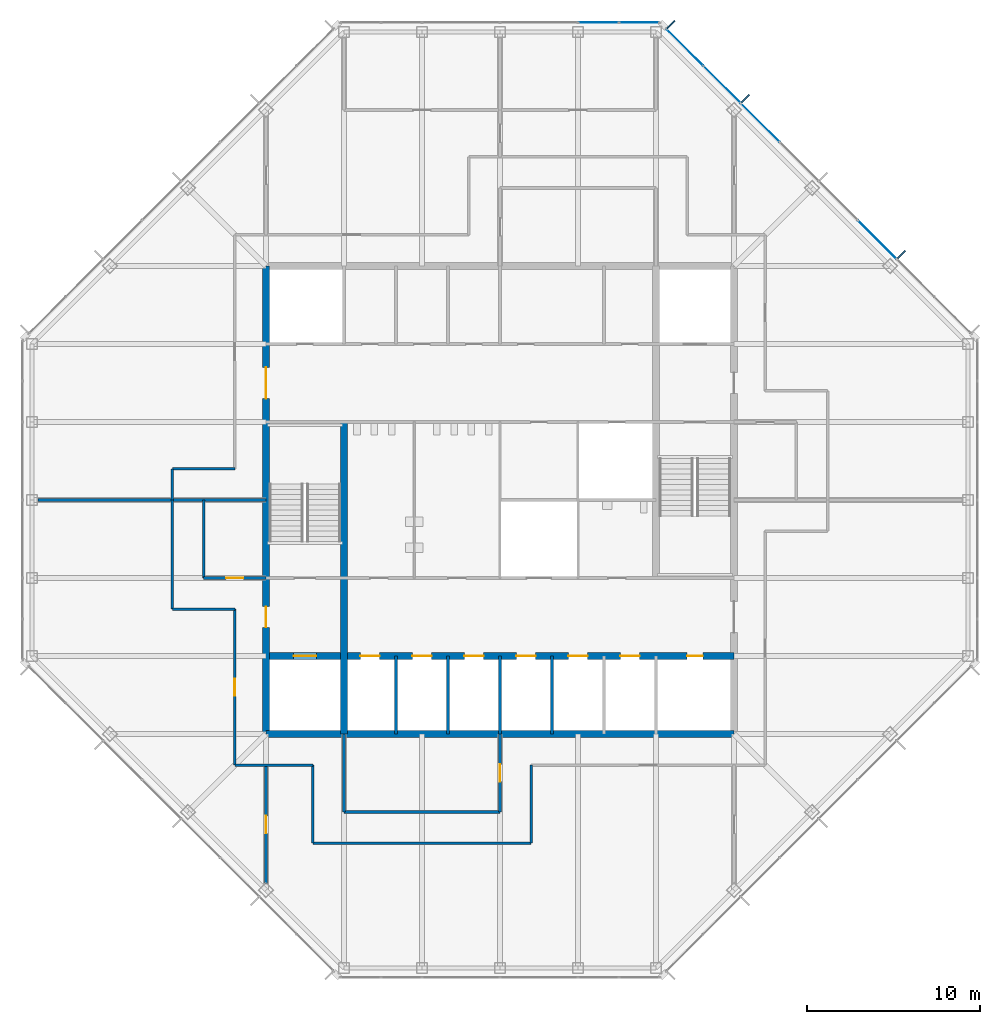
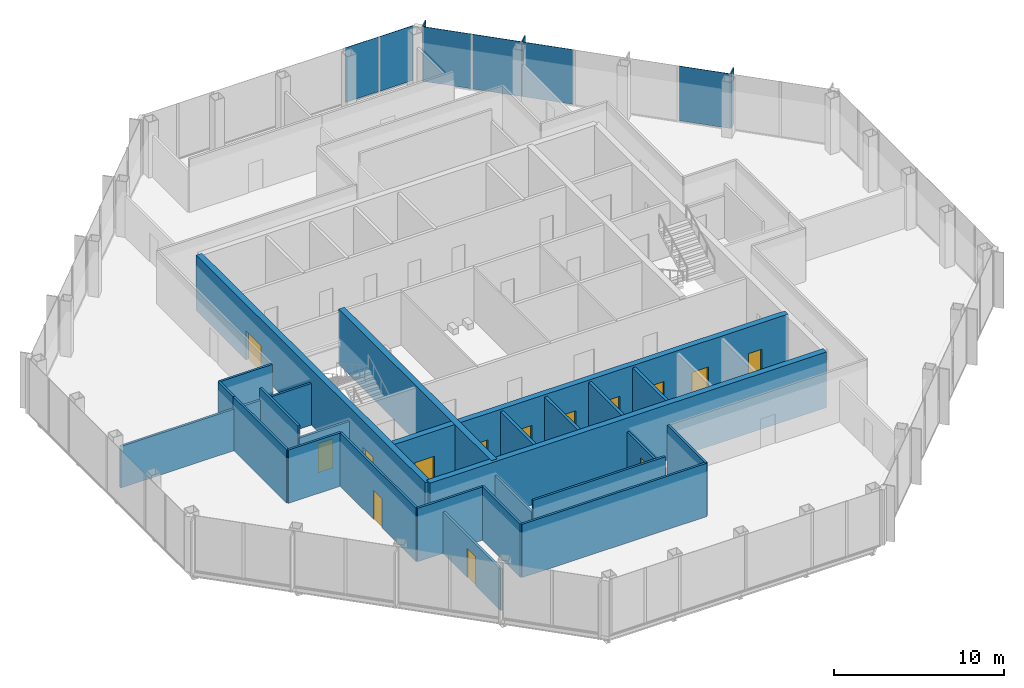
# One storey, part 9 of 13: 24 walls, 14 doors, 9 plates, 14 openings, 2 elements without a shape of their own.
"""IFC4 building model written with IfcOpenShell, lengths in metres."""

import ifcopenshell
import ifcopenshell.guid

model = None  # the IFC model being written
_history = None  # IfcOwnerHistory: only IFC2X3 demands one
_inside = {}  # id of a spatial element -> (the spatial element, [elements in it])
_under = {}  # id of a project, library or spatial element -> (it, [spatial elements below it])
_declared = {}  # id of a project -> (the project, [libraries it declares])
_typed = {}  # id of a type object -> (the type object, [elements of that type])
_made_of = {}  # id of a material, layer set ... -> (it, [elements and type objects made of it])


def new_model(schema):
    """Start an empty IFC model of exactly this schema.

    Asked for "IFC4X3", IfcOpenShell would pick the latest addendum, in which some entities
    have other attributes; the version numbers below select the first issue.
    IFC2X3 requires an IfcOwnerHistory on every rooted entity: one is made here for all.
    """
    global model, _history
    if schema == "IFC4X3":
        model = ifcopenshell.file(schema_version=(4, 3, 0, 0))
    else:
        model = ifcopenshell.file(schema=schema)
    _inside.clear()
    _under.clear()
    _declared.clear()
    _typed.clear()
    _made_of.clear()
    _history = None
    if model.schema == "IFC2X3":
        org = make("IfcOrganization", Name="unknown")
        user = make(
            "IfcPersonAndOrganization",
            ThePerson=make("IfcPerson", FamilyName="unknown"),
            TheOrganization=org,
        )
        app = make(
            "IfcApplication",
            ApplicationDeveloper=org,
            Version="unknown",
            ApplicationFullName="unknown",
            ApplicationIdentifier="unknown",
        )
        _history = make(
            "IfcOwnerHistory",
            OwningUser=user,
            OwningApplication=app,
            ChangeAction="ADDED",
            CreationDate=0,
        )
    return model


def make(cls, **values):
    """One entity of the class cls with the attributes given. An attribute that is None is left unset."""
    return model.create_entity(
        cls, **{name: value for name, value in values.items() if value is not None}
    )


def rooted(cls, **values):
    """An entity with a GlobalId (a new one), such as an element, a storey or a relation."""
    return make(cls, GlobalId=ifcopenshell.guid.new(), OwnerHistory=_history, **values)


def si_unit(unit_type, name, prefix=None):
    """IfcSIUnit, for example si_unit("LENGTHUNIT", "METRE", prefix="MILLI")."""
    return make("IfcSIUnit", UnitType=unit_type, Prefix=prefix, Name=name)


def assignment(units):
    """IfcUnitAssignment: the units of a project."""
    return None if units is None else make("IfcUnitAssignment", Units=units)


def point(xyz):
    """IfcCartesianPoint."""
    return None if xyz is None else make("IfcCartesianPoint", Coordinates=xyz)


def direction(xyz):
    """IfcDirection."""
    return None if xyz is None else make("IfcDirection", DirectionRatios=xyz)


def frame(location, z_axis=None, x_axis=None):
    """IfcAxis2Placement3D, a coordinate frame: its origin and axes. An axis left out is left unset."""
    return make(
        "IfcAxis2Placement3D",
        Location=point(location),
        Axis=direction(z_axis),
        RefDirection=direction(x_axis),
    )


def frame_2d(location, x_axis=None):
    """IfcAxis2Placement2D, a coordinate frame in the plane: its origin and x axis."""
    return make(
        "IfcAxis2Placement2D", Location=point(location), RefDirection=direction(x_axis)
    )


def origin():
    """The frame at (0, 0, 0) with its axes left unset."""
    return frame((0.0, 0.0, 0.0))


def origin_2d():
    """The frame at (0, 0) in the plane with its x axis left unset."""
    return frame_2d((0.0, 0.0))


def place(relative_to, where):
    """IfcLocalPlacement: puts the frame where relative to a parent placement (None: the world)."""
    return make(
        "IfcLocalPlacement", PlacementRelTo=relative_to, RelativePlacement=where
    )


def context(
    kind, dimensions, precision=None, world=None, true_north=None, identifier=None
):
    """IfcGeometricRepresentationContext, for example the 3D "Model" context."""
    return make(
        "IfcGeometricRepresentationContext",
        ContextIdentifier=identifier,
        ContextType=kind,
        CoordinateSpaceDimension=dimensions,
        Precision=precision,
        WorldCoordinateSystem=world,
        TrueNorth=true_north,
    )


def subcontext(parent, identifier, kind, view, scale=None):
    """IfcGeometricRepresentationSubContext, for example "Body" below "Model"."""
    return make(
        "IfcGeometricRepresentationSubContext",
        ContextIdentifier=identifier,
        ContextType=kind,
        ParentContext=parent,
        TargetScale=scale,
        TargetView=view,
    )


def project(units=None, contexts=None):
    """IfcProject with its units and contexts."""
    return rooted(
        "IfcProject",
        Name="project",
        RepresentationContexts=contexts,
        UnitsInContext=assignment(units),
    )


def spatial(cls, under=None, at=None, **own):
    """A site, building, storey or space (cls), placed at a placement, below another one or the project."""
    s = rooted(cls, ObjectPlacement=at, **own)
    if under is not None:
        _under.setdefault(under.id(), (under, []))[1].append(s)
    return s


def profile(cls, at=None, kind="AREA", **sizes):
    """A parametric profile (cls). Its sizes go by their IFC names, for example OverallWidth=200.0."""
    return make(cls, ProfileType=kind, Position=at, **sizes)


def rectangle(**sizes):
    """IfcRectangleProfileDef."""
    return profile("IfcRectangleProfileDef", **sizes)


def extrude(swept, where, along, depth):
    """IfcExtrudedAreaSolid: the profile swept, set in the frame where, extruded along a direction by depth."""
    return make(
        "IfcExtrudedAreaSolid",
        SweptArea=swept,
        Position=where,
        ExtrudedDirection=direction(along),
        Depth=depth,
    )


def shape(context_of_items, identifier, shape_type, items):
    """IfcShapeRepresentation: the items that make up one representation, for example the "Body"."""
    return make(
        "IfcShapeRepresentation",
        ContextOfItems=context_of_items,
        RepresentationIdentifier=identifier,
        RepresentationType=shape_type,
        Items=items,
    )


def material(Name=None, Category=None):
    """IfcMaterial."""
    return make("IfcMaterial", Name=Name, Category=Category)


def layer(
    of_material, thickness, ventilated=None, Name=None, Category=None, Priority=None
):
    """IfcMaterialLayer: one layer of a wall or slab, of a material (None: an air gap)."""
    return make(
        "IfcMaterialLayer",
        Material=of_material,
        LayerThickness=thickness,
        IsVentilated=ventilated,
        Name=Name,
        Category=Category,
        Priority=Priority,
    )


def layer_set(layers, Name=None):
    """IfcMaterialLayerSet."""
    return make("IfcMaterialLayerSet", MaterialLayers=layers, LayerSetName=Name)


def made_of(thing, what):
    """Note that an element or type object is made of a material, layer set ...; save() writes the relation."""
    if what is not None:
        _made_of.setdefault(what.id(), (what, []))[1].append(thing)
    return thing


def type_object(cls, material=None, **own):
    """A type object (cls), such as IfcWallType, which elements share."""
    return made_of(rooted(cls, **own), material)


def element(
    cls,
    number,
    at=None,
    inside=None,
    cuts=None,
    type_object=None,
    material=None,
    context=None,
    identifier="Body",
    shape_type=None,
    held_by="IfcProductDefinitionShape",
    body=None,
    shapes=None,
    **own,
):
    """One element of the class cls, such as IfcWall. Its Tag is "e" and its number.

    at: its placement. inside: the storey or other place that contains it. cuts: it is an
    opening in that element (IfcRelVoidsElement). A single representation is given by context,
    identifier, shape_type and body (its items); several are given by shapes. held_by: the class
    of the entity that holds the representations. save() writes the other relations.
    """
    e = rooted(cls, Tag="e%d" % number, ObjectPlacement=at, **own)
    if body is not None:
        shapes = [shape(context, identifier, shape_type, body)]
    if shapes is not None:
        e.Representation = make(held_by, Representations=shapes)
    if inside is not None:
        _inside.setdefault(inside.id(), (inside, []))[1].append(e)
    if cuts is not None:
        rooted(
            "IfcRelVoidsElement", RelatingBuildingElement=cuts, RelatedOpeningElement=e
        )
    if type_object is not None:
        _typed.setdefault(type_object.id(), (type_object, []))[1].append(e)
    return made_of(e, material)


def fill(opening, filler):
    """IfcRelFillsElement: the door or window that sits in an opening."""
    return rooted(
        "IfcRelFillsElement",
        RelatingOpeningElement=opening,
        RelatedBuildingElement=filler,
    )


def aggregate(whole, parts):
    """IfcRelAggregates: a whole, such as a stair, and the parts it consists of."""
    return rooted("IfcRelAggregates", RelatingObject=whole, RelatedObjects=parts)


def save(model, path):
    """Write the relations noted so far, then the file.

    IfcRelAggregates (storeys below a building ...), IfcRelContainedInSpatialStructure (elements
    in a storey), IfcRelDefinesByType, IfcRelAssociatesMaterial and IfcRelDeclares: one each for
    every whole, place, type object, material and project.
    """
    for whole, parts in _under.values():
        aggregate(whole, parts)
    for where, things in _inside.values():
        rooted(
            "IfcRelContainedInSpatialStructure",
            RelatedElements=things,
            RelatingStructure=where,
        )
    for kind, things in _typed.values():
        rooted("IfcRelDefinesByType", RelatedObjects=things, RelatingType=kind)
    for what, things in _made_of.values():
        rooted("IfcRelAssociatesMaterial", RelatedObjects=things, RelatingMaterial=what)
    for by, libraries in _declared.values():
        rooted("IfcRelDeclares", RelatingContext=by, RelatedDefinitions=libraries)
    model.write(path)


model = new_model("IFC4")

# Units and contexts
model_context = context("Model", 3, precision=1e-05, world=origin(), true_north=direction((0.0, 1.0)))
body_context = subcontext(model_context, "Body", "Model", "MODEL_VIEW")
ifc_project = project(units=[si_unit("LENGTHUNIT", "METRE"), si_unit("AREAUNIT", "SQUARE_METRE"), si_unit("VOLUMEUNIT", "CUBIC_METRE"), si_unit("PLANEANGLEUNIT", "RADIAN"), si_unit("MASSUNIT", "GRAM", prefix="KILO")], contexts=[model_context])

# Site, building, storey
site_placement = place(None, origin())
site = spatial("IfcSite", under=ifc_project, at=site_placement, CompositionType="ELEMENT")
building_placement = place(site_placement, origin())
building = spatial("IfcBuilding", under=site, at=building_placement, Name="Corais Broadcast Tower", CompositionType="ELEMENT")
storey_placement = place(building_placement, frame((0.0, 0.0, 242.60009765625)))
storey = spatial("IfcBuildingStorey", under=building, at=storey_placement, Name="L56", CompositionType="ELEMENT", Elevation=242.60009765625)

# Curtain wall, plate
ifc_material_1 = material(Name="Aluminium and glass", Category="aluminium")
curtain_wall_type = type_object("IfcCurtainWallType", Name="Unitised fritted curtain wall CW3", PredefinedType="NOTDEFINED", material=ifc_material_1)
curtain_wall_1_placement = place(storey_placement, origin())
curtain_wall_1 = element("IfcCurtainWall", 1, at=curtain_wall_1_placement, inside=storey, type_object=curtain_wall_type, Name="CW3 curtain wall L56 4", PredefinedType="NOTDEFINED")
ifc_material_2 = material(Name="Ceramic-fritted laminated glass", Category="glass")
ifc_layer_1 = layer(ifc_material_2, 0.02587890625)
ifc_layer_set_1 = layer_set([ifc_layer_1], Name="Ceramic-fritted laminated glass")
plate_type_1 = type_object("IfcPlateType", Name="Fritted glass panel CW3", PredefinedType="CURTAIN_PANEL", material=ifc_layer_set_1)
plate_1_placement = place(storey_placement, frame((32.681884765625, 54.550048828125, 0.06494140625), z_axis=(0.0, 0.0, 1.0), x_axis=(1.0, 0.0, 0.0)))
plate_1 = element("IfcPlate", 2, at=plate_1_placement, type_object=plate_type_1, Name="CW3 panel 5", PredefinedType="CURTAIN_PANEL", context=body_context, shape_type="SweptSolid", body=[
    extrude(rectangle(XDim=2.298828125, YDim=0.02587890625, at=origin_2d()), origin(), (0.0, 0.0, 1.0), 3.93505859375),
])

# Curtain wall, plates
curtain_wall_2_placement = place(storey_placement, origin())
curtain_wall_2 = element("IfcCurtainWall", 3, at=curtain_wall_2_placement, inside=storey, type_object=curtain_wall_type, Name="CW3 curtain wall L56 5", PredefinedType="NOTDEFINED")
plate_2_placement = place(storey_placement, frame((37.669677734375, 53.108154296875, 0.06494140625), z_axis=(0.0, 0.0, 1.0), x_axis=(0.707106781187, -0.707106781187, 0.0)))
plate_2 = element("IfcPlate", 4, at=plate_2_placement, type_object=plate_type_1, Name="CW3 panel 1", PredefinedType="CURTAIN_PANEL", context=body_context, shape_type="SweptSolid", body=[
    extrude(rectangle(XDim=2.9482421875, YDim=0.02587890625, at=origin_2d()), origin(), (0.0, 0.0, 1.0), 3.93505859375),
])
plate_3_placement = place(storey_placement, frame((42.013916015625, 48.763916015625, 0.06494140625), z_axis=(0.0, 0.0, 1.0), x_axis=(0.707106781187, -0.707106781187, 0.0)))
plate_3 = element("IfcPlate", 5, at=plate_3_placement, type_object=plate_type_1, Name="CW3 panel 3", PredefinedType="CURTAIN_PANEL", context=body_context, shape_type="SweptSolid", body=[
    extrude(rectangle(XDim=3.116943359375, YDim=0.02587890625, at=origin_2d()), origin(), (0.0, 0.0, 1.0), 3.93505859375),
])

# Plate
ifc_material_3 = material(Name="Clear laminated glass", Category="glass")
ifc_layer_2 = layer(ifc_material_3, 0.030029296875)
ifc_layer_set_2 = layer_set([ifc_layer_2], Name="Clear laminated glass")
plate_type_2 = type_object("IfcPlateType", Name="Operable glass panel CW3", PredefinedType="CURTAIN_PANEL", material=ifc_layer_set_2)
plate_4_placement = place(storey_placement, frame((35.029541015625, 54.550048828125, 0.06494140625), z_axis=(0.0, 0.0, 1.0), x_axis=(1.0, 0.0, 0.0)))
plate_4 = element("IfcPlate", 6, at=plate_4_placement, type_object=plate_type_2, Name="CW3 operable panel 6", PredefinedType="CURTAIN_PANEL", context=body_context, shape_type="SweptSolid", body=[
    extrude(rectangle(XDim=2.266357421875, YDim=0.030029296875, at=origin_2d()), origin(), (0.0, 0.0, 1.0), 3.93505859375),
])

aggregate(curtain_wall_1, [plate_1, plate_4])

plate_5_placement = place(storey_placement, frame((39.81201171875, 50.9658203125, 0.06494140625), z_axis=(0.0, 0.0, 1.0), x_axis=(0.707106781187, -0.707106781187, 0.0)))
plate_5 = element("IfcPlate", 7, at=plate_5_placement, type_object=plate_type_2, Name="CW3 operable panel 2", PredefinedType="CURTAIN_PANEL", context=body_context, shape_type="SweptSolid", body=[
    extrude(rectangle(XDim=2.98095703125, YDim=0.030029296875, at=origin_2d()), origin(), (0.0, 0.0, 1.0), 3.93505859375),
])

plate_6_placement = place(storey_placement, frame((48.763916015625, 42.013916015625, 0.06494140625), z_axis=(0.0, 0.0, 1.0), x_axis=(0.707106781187, -0.707106781187, 0.0)))
plate_6 = element("IfcPlate", 8, at=plate_6_placement, type_object=plate_type_2, Name="CW3 operable panel 6", PredefinedType="CURTAIN_PANEL", context=body_context, shape_type="SweptSolid", body=[
    extrude(rectangle(XDim=3.116943359375, YDim=0.030029296875, at=origin_2d()), origin(), (0.0, 0.0, 1.0), 3.93505859375),
])

aggregate(curtain_wall_2, [plate_2, plate_5, plate_3, plate_6])

# Plates
ifc_material_4 = material(Name="Granite stone cladding", Category="masonry")
ifc_layer_3 = layer(ifc_material_4, 0.080078125)
ifc_layer_set_3 = layer_set([ifc_layer_3], Name="Granite stone cladding")
plate_type_3 = type_object("IfcPlateType", Name="Stone screen fin 80x600", PredefinedType="USERDEFINED", material=ifc_layer_set_3)
for number, where, z_axis, x_axis, name in (
    (9, (36.870849609375, 54.43994140625, 0.0), (0.0, 0.0, 1.0), (0.707106781187, -0.707106781187, 0.0), "SF1 stone screen fin L56"),
    (10, (41.155517578125, 50.155517578125, 0.0), (0.0, 0.0, 1.0), (0.707106781187, -0.707106781187, 0.0), "SF1 stone screen fin L56"),
    (11, (50.155517578125, 41.155517578125, 0.0), (0.0, 0.0, 1.0), (0.707106781187, -0.707106781187, 0.0), "SF1 stone screen fin L56"),
):
    element("IfcPlate", number, at=place(storey_placement, frame(where, z_axis=z_axis, x_axis=x_axis)), inside=storey, type_object=plate_type_3, Name=name, ObjectType="STONE SCREEN FIN", PredefinedType="USERDEFINED", context=body_context, shape_type="SweptSolid", body=[
        extrude(rectangle(XDim=0.080078125, YDim=0.60009765625, at=origin_2d()), origin(), (0.0, 0.0, 1.0), 4.0),
    ])

# Wall
ifc_material_5 = material(Name="Concrete C50/60", Category="concrete")
ifc_layer_4 = layer(ifc_material_5, 0.39990234375)
ifc_layer_set_4 = layer_set([ifc_layer_4], Name="Concrete C50/60")
wall_type_1 = type_object("IfcWallType", Name="Core wall 400", PredefinedType="SHEAR", material=ifc_layer_set_4)
wall_1_placement = place(storey_placement, frame((13.5, 13.5, 0.0), z_axis=(0.0, 0.0, 1.0), x_axis=(1.0, 0.0, 0.0)))
element("IfcWall", 12, at=wall_1_placement, inside=storey, type_object=wall_type_1, Name="CR400 core wall S L56", PredefinedType="SHEAR", context=body_context, shape_type="SweptSolid", body=[
    extrude(rectangle(XDim=27.0, YDim=0.39990234375, at=frame_2d((13.5, 0.0))), origin(), (0.0, 0.0, 1.0), 4.0),
])

# Wall, openings, doors
wall_2_placement = place(storey_placement, frame((13.5, 40.5, 0.0), z_axis=(0.0, 0.0, 1.0), x_axis=(0.0, -1.0, 0.0)))
wall_2 = element("IfcWall", 13, at=wall_2_placement, inside=storey, type_object=wall_type_1, Name="CR400 core wall W L56", PredefinedType="SHEAR", context=body_context, shape_type="SweptSolid", body=[
    extrude(rectangle(XDim=27.0, YDim=0.39990234375, at=frame_2d((13.5, 0.0))), origin(), (0.0, 0.0, 1.0), 4.0),
])
opening_1_placement = place(wall_2_placement, frame((19.64990234375, 0.0, 0.0)))
opening_1 = element("IfcOpeningElement", 14, at=opening_1_placement, cuts=wall_2, Name="Opening FD1", PredefinedType="OPENING", context=body_context, shape_type="SweptSolid", body=[
    extrude(rectangle(XDim=1.199951171875, YDim=2.10009765625, at=frame_2d((0.60009765625, 1.050048828125))), frame((0.0, 0.2099609375, 0.0), z_axis=(0.0, -1.0, 0.0), x_axis=(1.0, 0.0, 0.0)), (0.0, 0.0, 1.0), 0.419921875),
])
opening_2_placement = place(wall_2_placement, frame((5.85009765625, 0.0, 0.0)))
opening_2 = element("IfcOpeningElement", 15, at=opening_2_placement, cuts=wall_2, Name="Opening FD2", PredefinedType="OPENING", context=body_context, shape_type="SweptSolid", body=[
    extrude(rectangle(XDim=1.800048828125, YDim=2.10009765625, at=frame_2d((0.89990234375, 1.050048828125))), frame((0.0, 0.2099609375, 0.0), z_axis=(0.0, -1.0, 0.0), x_axis=(1.0, 0.0, 0.0)), (0.0, 0.0, 1.0), 0.419921875),
])
ifc_material_6 = material(Name="Steel fire door", Category="steel")
door_type_1 = type_object("IfcDoorType", Name="Fire door 1200x2100", OperationType="SINGLE_SWING_LEFT", PredefinedType="DOOR", material=ifc_material_6)
door_1_placement = place(opening_1_placement, origin())
door_1 = element("IfcDoor", 16, at=door_1_placement, inside=storey, type_object=door_type_1, Name="FD1 fire lobby A door L56", OperationType="SINGLE_SWING_RIGHT", OverallHeight=2.10009765625, OverallWidth=1.199951171875, PredefinedType="DOOR", context=body_context, shape_type="SweptSolid", body=[
    extrude(rectangle(XDim=1.199951171875, YDim=2.10009765625, at=frame_2d((0.60009765625, 1.050048828125))), frame((0.0, 0.02490234375, 0.0), z_axis=(0.0, -1.0, 0.0), x_axis=(1.0, 0.0, 0.0)), (0.0, 0.0, 1.0), 0.050048828125),
])
fill(opening_1, door_1)
ifc_material_7 = material(Name="Steel fire door", Category="steel")
door_type_2 = type_object("IfcDoorType", Name="Fire door pair 1800x2100", OperationType="DOUBLE_DOOR_SINGLE_SWING", PredefinedType="DOOR", material=ifc_material_7)
door_2_placement = place(opening_2_placement, origin())
door_2 = element("IfcDoor", 17, at=door_2_placement, inside=storey, type_object=door_type_2, Name="FD2 lift lobby door L56", OperationType="SINGLE_SWING_LEFT", OverallHeight=2.10009765625, OverallWidth=1.800048828125, PredefinedType="DOOR", context=body_context, shape_type="SweptSolid", body=[
    extrude(rectangle(XDim=1.800048828125, YDim=2.10009765625, at=frame_2d((0.89990234375, 1.050048828125))), frame((0.0, 0.02490234375, 0.0), z_axis=(0.0, -1.0, 0.0), x_axis=(1.0, 0.0, 0.0)), (0.0, 0.0, 1.0), 0.050048828125),
])
fill(opening_2, door_2)

# Wall
wall_3_placement = place(storey_placement, frame((18.0, 13.5, 0.0), z_axis=(0.0, 0.0, 1.0), x_axis=(0.0, 1.0, 0.0)))
element("IfcWall", 18, at=wall_3_placement, inside=storey, type_object=wall_type_1, Name="CR400 core wall X18A L56", PredefinedType="SHEAR", context=body_context, shape_type="SweptSolid", body=[
    extrude(rectangle(XDim=18.0, YDim=0.39990234375, at=frame_2d((9.0, 0.0))), origin(), (0.0, 0.0, 1.0), 4.0),
])

# Wall, openings, doors
wall_4_placement = place(storey_placement, frame((13.5, 18.0, 0.0), z_axis=(0.0, 0.0, 1.0), x_axis=(1.0, 0.0, 0.0)))
wall_4 = element("IfcWall", 19, at=wall_4_placement, inside=storey, type_object=wall_type_1, Name="CR400 core wall Y18 L56", PredefinedType="SHEAR", context=body_context, shape_type="SweptSolid", body=[
    extrude(rectangle(XDim=27.0, YDim=0.39990234375, at=frame_2d((13.5, 0.0))), origin(), (0.0, 0.0, 1.0), 4.0),
])
opening_3_placement = place(wall_4_placement, frame((24.300048828125, 0.0, 0.0)))
opening_3 = element("IfcOpeningElement", 20, at=opening_3_placement, cuts=wall_4, Name="Opening RD1", PredefinedType="OPENING", context=body_context, shape_type="SweptSolid", body=[
    extrude(rectangle(XDim=0.89990234375, YDim=2.10009765625, at=frame_2d((0.449951171875, 1.050048828125))), frame((0.0, 0.2099609375, 0.0), z_axis=(0.0, -1.0, 0.0), x_axis=(1.0, 0.0, 0.0)), (0.0, 0.0, 1.0), 0.419921875),
])
opening_4_placement = place(wall_4_placement, frame((5.449951171875, 0.0, 0.0)))
opening_4 = element("IfcOpeningElement", 21, at=opening_4_placement, cuts=wall_4, Name="Opening LD1", PredefinedType="OPENING", context=body_context, shape_type="SweptSolid", body=[
    extrude(rectangle(XDim=1.10009765625, YDim=2.10009765625, at=frame_2d((0.550048828125, 1.050048828125))), frame((0.0, 0.2099609375, 0.0), z_axis=(0.0, -1.0, 0.0), x_axis=(1.0, 0.0, 0.0)), (0.0, 0.0, 1.0), 0.419921875),
])
opening_5_placement = place(wall_4_placement, frame((8.449951171875, 0.0, 0.0)))
opening_5 = element("IfcOpeningElement", 22, at=opening_5_placement, cuts=wall_4, Name="Opening LD1", PredefinedType="OPENING", context=body_context, shape_type="SweptSolid", body=[
    extrude(rectangle(XDim=1.10009765625, YDim=2.10009765625, at=frame_2d((0.550048828125, 1.050048828125))), frame((0.0, 0.2099609375, 0.0), z_axis=(0.0, -1.0, 0.0), x_axis=(1.0, 0.0, 0.0)), (0.0, 0.0, 1.0), 0.419921875),
])
opening_6_placement = place(wall_4_placement, frame((11.449951171875, 0.0, 0.0)))
opening_6 = element("IfcOpeningElement", 23, at=opening_6_placement, cuts=wall_4, Name="Opening LD1", PredefinedType="OPENING", context=body_context, shape_type="SweptSolid", body=[
    extrude(rectangle(XDim=1.10009765625, YDim=2.10009765625, at=frame_2d((0.550048828125, 1.050048828125))), frame((0.0, 0.2099609375, 0.0), z_axis=(0.0, -1.0, 0.0), x_axis=(1.0, 0.0, 0.0)), (0.0, 0.0, 1.0), 0.419921875),
])
opening_7_placement = place(wall_4_placement, frame((14.449951171875, 0.0, 0.0)))
opening_7 = element("IfcOpeningElement", 24, at=opening_7_placement, cuts=wall_4, Name="Opening LD1", PredefinedType="OPENING", context=body_context, shape_type="SweptSolid", body=[
    extrude(rectangle(XDim=1.10009765625, YDim=2.10009765625, at=frame_2d((0.550048828125, 1.050048828125))), frame((0.0, 0.2099609375, 0.0), z_axis=(0.0, -1.0, 0.0), x_axis=(1.0, 0.0, 0.0)), (0.0, 0.0, 1.0), 0.419921875),
])
opening_8_placement = place(wall_4_placement, frame((17.449951171875, 0.0, 0.0)))
opening_8 = element("IfcOpeningElement", 25, at=opening_8_placement, cuts=wall_4, Name="Opening LD1", PredefinedType="OPENING", context=body_context, shape_type="SweptSolid", body=[
    extrude(rectangle(XDim=1.10009765625, YDim=2.10009765625, at=frame_2d((0.550048828125, 1.050048828125))), frame((0.0, 0.2099609375, 0.0), z_axis=(0.0, -1.0, 0.0), x_axis=(1.0, 0.0, 0.0)), (0.0, 0.0, 1.0), 0.419921875),
])
opening_9_placement = place(wall_4_placement, frame((20.449951171875, 0.0, 0.0)))
opening_9 = element("IfcOpeningElement", 26, at=opening_9_placement, cuts=wall_4, Name="Opening LD1", PredefinedType="OPENING", context=body_context, shape_type="SweptSolid", body=[
    extrude(rectangle(XDim=1.10009765625, YDim=2.10009765625, at=frame_2d((0.550048828125, 1.050048828125))), frame((0.0, 0.2099609375, 0.0), z_axis=(0.0, -1.0, 0.0), x_axis=(1.0, 0.0, 0.0)), (0.0, 0.0, 1.0), 0.419921875),
])
opening_10_placement = place(wall_4_placement, frame((1.60009765625, 0.0, 0.0)))
opening_10 = element("IfcOpeningElement", 27, at=opening_10_placement, cuts=wall_4, Name="Opening LD2", PredefinedType="OPENING", context=body_context, shape_type="SweptSolid", body=[
    extrude(rectangle(XDim=1.300048828125, YDim=2.199951171875, at=frame_2d((0.64990234375, 1.10009765625))), frame((0.0, 0.2099609375, 0.0), z_axis=(0.0, -1.0, 0.0), x_axis=(1.0, 0.0, 0.0)), (0.0, 0.0, 1.0), 0.419921875),
])
ifc_material_8 = material(Name="Stainless steel lift door", Category="steel")
door_type_3 = type_object("IfcDoorType", Name="Lift landing door 1100x2100", OperationType="SLIDING_TO_LEFT", PredefinedType="DOOR", material=ifc_material_8)
door_3_placement = place(opening_4_placement, origin())
door_3 = element("IfcDoor", 28, at=door_3_placement, inside=storey, type_object=door_type_3, Name="LD1 PH1 landing door L56", OperationType="SLIDING_TO_LEFT", OverallHeight=2.10009765625, OverallWidth=1.10009765625, PredefinedType="DOOR", context=body_context, shape_type="SweptSolid", body=[
    extrude(rectangle(XDim=1.10009765625, YDim=2.10009765625, at=frame_2d((0.550048828125, 1.050048828125))), frame((0.0, 0.02490234375, 0.0), z_axis=(0.0, -1.0, 0.0), x_axis=(1.0, 0.0, 0.0)), (0.0, 0.0, 1.0), 0.050048828125),
])
fill(opening_4, door_3)
door_4_placement = place(opening_5_placement, origin())
door_4 = element("IfcDoor", 29, at=door_4_placement, inside=storey, type_object=door_type_3, Name="LD1 PH2 landing door L56", OperationType="SLIDING_TO_LEFT", OverallHeight=2.10009765625, OverallWidth=1.10009765625, PredefinedType="DOOR", context=body_context, shape_type="SweptSolid", body=[
    extrude(rectangle(XDim=1.10009765625, YDim=2.10009765625, at=frame_2d((0.550048828125, 1.050048828125))), frame((0.0, 0.02490234375, 0.0), z_axis=(0.0, -1.0, 0.0), x_axis=(1.0, 0.0, 0.0)), (0.0, 0.0, 1.0), 0.050048828125),
])
fill(opening_5, door_4)
door_5_placement = place(opening_6_placement, origin())
door_5 = element("IfcDoor", 30, at=door_5_placement, inside=storey, type_object=door_type_3, Name="LD1 PH3 landing door L56", OperationType="SLIDING_TO_LEFT", OverallHeight=2.10009765625, OverallWidth=1.10009765625, PredefinedType="DOOR", context=body_context, shape_type="SweptSolid", body=[
    extrude(rectangle(XDim=1.10009765625, YDim=2.10009765625, at=frame_2d((0.550048828125, 1.050048828125))), frame((0.0, 0.02490234375, 0.0), z_axis=(0.0, -1.0, 0.0), x_axis=(1.0, 0.0, 0.0)), (0.0, 0.0, 1.0), 0.050048828125),
])
fill(opening_6, door_5)
door_6_placement = place(opening_7_placement, origin())
door_6 = element("IfcDoor", 31, at=door_6_placement, inside=storey, type_object=door_type_3, Name="LD1 PH4 landing door L56", OperationType="SLIDING_TO_LEFT", OverallHeight=2.10009765625, OverallWidth=1.10009765625, PredefinedType="DOOR", context=body_context, shape_type="SweptSolid", body=[
    extrude(rectangle(XDim=1.10009765625, YDim=2.10009765625, at=frame_2d((0.550048828125, 1.050048828125))), frame((0.0, 0.02490234375, 0.0), z_axis=(0.0, -1.0, 0.0), x_axis=(1.0, 0.0, 0.0)), (0.0, 0.0, 1.0), 0.050048828125),
])
fill(opening_7, door_6)
door_7_placement = place(opening_8_placement, origin())
door_7 = element("IfcDoor", 32, at=door_7_placement, inside=storey, type_object=door_type_3, Name="LD1 PH5 landing door L56", OperationType="SLIDING_TO_LEFT", OverallHeight=2.10009765625, OverallWidth=1.10009765625, PredefinedType="DOOR", context=body_context, shape_type="SweptSolid", body=[
    extrude(rectangle(XDim=1.10009765625, YDim=2.10009765625, at=frame_2d((0.550048828125, 1.050048828125))), frame((0.0, 0.02490234375, 0.0), z_axis=(0.0, -1.0, 0.0), x_axis=(1.0, 0.0, 0.0)), (0.0, 0.0, 1.0), 0.050048828125),
])
fill(opening_8, door_7)
door_8_placement = place(opening_9_placement, origin())
door_8 = element("IfcDoor", 33, at=door_8_placement, inside=storey, type_object=door_type_3, Name="LD1 PH6 landing door L56", OperationType="SLIDING_TO_LEFT", OverallHeight=2.10009765625, OverallWidth=1.10009765625, PredefinedType="DOOR", context=body_context, shape_type="SweptSolid", body=[
    extrude(rectangle(XDim=1.10009765625, YDim=2.10009765625, at=frame_2d((0.550048828125, 1.050048828125))), frame((0.0, 0.02490234375, 0.0), z_axis=(0.0, -1.0, 0.0), x_axis=(1.0, 0.0, 0.0)), (0.0, 0.0, 1.0), 0.050048828125),
])
fill(opening_9, door_8)
ifc_material_9 = material(Name="Stainless steel lift door", Category="steel")
door_type_4 = type_object("IfcDoorType", Name="Lift landing door 1300x2200", OperationType="SLIDING_TO_LEFT", PredefinedType="DOOR", material=ifc_material_9)
door_9_placement = place(opening_10_placement, origin())
door_9 = element("IfcDoor", 34, at=door_9_placement, inside=storey, type_object=door_type_4, Name="LD2 FL1 landing door L56", OperationType="SLIDING_TO_LEFT", OverallHeight=2.199951171875, OverallWidth=1.300048828125, PredefinedType="DOOR", context=body_context, shape_type="SweptSolid", body=[
    extrude(rectangle(XDim=1.300048828125, YDim=2.199951171875, at=frame_2d((0.64990234375, 1.10009765625))), frame((0.0, 0.02490234375, 0.0), z_axis=(0.0, -1.0, 0.0), x_axis=(1.0, 0.0, 0.0)), (0.0, 0.0, 1.0), 0.050048828125),
])
fill(opening_10, door_9)
ifc_material_10 = material(Name="Steel fire door", Category="steel")
door_type_5 = type_object("IfcDoorType", Name="Riser door 900x2100", OperationType="SINGLE_SWING_LEFT", PredefinedType="DOOR", material=ifc_material_10)
door_10_placement = place(opening_3_placement, origin())
door_10 = element("IfcDoor", 35, at=door_10_placement, inside=storey, type_object=door_type_5, Name="RD1 riser door L56", OperationType="SINGLE_SWING_RIGHT", OverallHeight=2.10009765625, OverallWidth=0.89990234375, PredefinedType="DOOR", context=body_context, shape_type="SweptSolid", body=[
    extrude(rectangle(XDim=0.89990234375, YDim=2.10009765625, at=frame_2d((0.449951171875, 1.050048828125))), frame((0.0, 0.02490234375, 0.0), z_axis=(0.0, -1.0, 0.0), x_axis=(1.0, 0.0, 0.0)), (0.0, 0.0, 1.0), 0.050048828125),
])
fill(opening_3, door_10)

# Walls
ifc_material_11 = material(Name="Two layers of fire-rated gypsum board each side on steel studs", Category="steel")
ifc_layer_5 = layer(ifc_material_11, 0.14990234375)
ifc_layer_set_5 = layer_set([ifc_layer_5], Name="Two layers of fire-rated gypsum board each side on steel studs")
wall_type_2 = type_object("IfcWallType", Name="Fire-rated partition 150 EI 60", PredefinedType="PARTITIONING", material=ifc_layer_set_5)
wall_5_placement = place(storey_placement, frame((0.3349609375, 27.0, 0.0), z_axis=(0.0, 0.0, 1.0), x_axis=(1.0, 0.0, 0.0)))
element("IfcWall", 36, at=wall_5_placement, inside=storey, type_object=wall_type_2, Name="IW7 tenancy wall L56", PredefinedType="PARTITIONING", context=body_context, shape_type="SweptSolid", body=[
    extrude(rectangle(XDim=13.1650390625, YDim=0.14990234375, at=frame_2d((6.58251953125, 0.0))), origin(), (0.0, 0.0, 1.0), 2.989013671875),
])
ifc_material_12 = material(Name="Gypsum board on steel studs", Category="steel")
ifc_layer_6 = layer(ifc_material_12, 0.14990234375)
ifc_layer_set_6 = layer_set([ifc_layer_6], Name="Gypsum board on steel studs")
wall_type_3 = type_object("IfcWallType", Name="Partition 150", PredefinedType="PARTITIONING", material=ifc_layer_set_6)
wall_6_placement = place(storey_placement, frame((16.199951171875, 7.199951171875, 0.0), z_axis=(0.0, 0.0, 1.0), x_axis=(1.0, 0.0, 0.0)))
element("IfcWall", 37, at=wall_6_placement, inside=storey, type_object=wall_type_3, Name="IW3 corridor wall L56", PredefinedType="PARTITIONING", context=body_context, shape_type="SweptSolid", body=[
    extrude(rectangle(XDim=12.60009765625, YDim=0.14990234375, at=frame_2d((6.300048828125, 0.0))), origin(), (0.0, 0.0, 1.0), 3.83984375),
])

# Wall, opening, door
wall_7_placement = place(storey_placement, frame((11.699951171875, 20.699951171875, 0.0), z_axis=(0.0, 0.0, 1.0), x_axis=(0.0, -1.0, 0.0)))
wall_7 = element("IfcWall", 38, at=wall_7_placement, inside=storey, type_object=wall_type_3, Name="IW3 corridor wall L56", PredefinedType="PARTITIONING", context=body_context, shape_type="SweptSolid", body=[
    extrude(rectangle(XDim=9.0, YDim=0.14990234375, at=frame_2d((4.5, 0.0))), origin(), (0.0, 0.0, 1.0), 3.83984375),
])
opening_11_placement = place(wall_7_placement, frame((4.0, 0.0, 0.0)))
opening_11 = element("IfcOpeningElement", 39, at=opening_11_placement, cuts=wall_7, Name="Opening D1", PredefinedType="OPENING", context=body_context, shape_type="SweptSolid", body=[
    extrude(rectangle(XDim=1.0, YDim=2.10009765625, at=frame_2d((0.5, 1.050048828125))), frame((0.0, 0.0849609375, 0.0), z_axis=(0.0, -1.0, 0.0), x_axis=(1.0, 0.0, 0.0)), (0.0, 0.0, 1.0), 0.169921875),
])
ifc_material_13 = material(Name="Timber door", Category="wood")
door_type_6 = type_object("IfcDoorType", Name="Single door 1000x2100", OperationType="SINGLE_SWING_LEFT", PredefinedType="DOOR", material=ifc_material_13)
door_11_placement = place(opening_11_placement, origin())
door_11 = element("IfcDoor", 40, at=door_11_placement, inside=storey, type_object=door_type_6, Name="D1 workplace door L56", OperationType="SINGLE_SWING_LEFT", OverallHeight=2.10009765625, OverallWidth=1.0, PredefinedType="DOOR", context=body_context, shape_type="SweptSolid", body=[
    extrude(rectangle(XDim=1.0, YDim=2.10009765625, at=frame_2d((0.5, 1.050048828125))), frame((0.0, 0.02490234375, 0.0), z_axis=(0.0, -1.0, 0.0), x_axis=(1.0, 0.0, 0.0)), (0.0, 0.0, 1.0), 0.050048828125),
])
fill(opening_11, door_11)

# Walls
wall_8_placement = place(storey_placement, frame((8.10009765625, 26.99951171875, 0.0), z_axis=(0.0, 0.0, 1.0), x_axis=(0.0, -1.0, 0.0)))
element("IfcWall", 41, at=wall_8_placement, inside=storey, type_object=wall_type_3, Name="IW3 corridor wall L56", PredefinedType="PARTITIONING", context=body_context, shape_type="SweptSolid", body=[
    extrude(rectangle(XDim=6.299560546875, YDim=0.14990234375, at=frame_2d((3.14990234375, 0.0))), origin(), (0.0, 0.0, 1.0), 3.83984375),
])
for number, where, z_axis, x_axis, name in (
    (42, (11.699951171875, 11.699951171875, 0.0), (0.0, 0.0, 1.0), (1.0, 0.0, 0.0), "IW3 corridor wall L56"),
    (43, (16.199951171875, 11.699951171875, 0.0), (0.0, 0.0, 1.0), (0.0, -1.0, 0.0), "IW3 corridor wall L56"),
    (44, (28.800048828125, 7.199951171875, 0.0), (0.0, 0.0, 1.0), (0.0, 1.0, 0.0), "IW3 corridor wall L56"),
):
    element("IfcWall", number, at=place(storey_placement, frame(where, z_axis=z_axis, x_axis=x_axis)), inside=storey, type_object=wall_type_3, Name=name, PredefinedType="PARTITIONING", context=body_context, shape_type="SweptSolid", body=[
        extrude(rectangle(XDim=4.5, YDim=0.14990234375, at=frame_2d((2.25, 0.0))), origin(), (0.0, 0.0, 1.0), 3.83984375),
    ])
for number, where, z_axis, x_axis, name in (
    (45, (8.10009765625, 20.699951171875, 0.0), (0.0, 0.0, 1.0), (1.0, 0.0, 0.0), "IW3 corridor wall L56"),
    (46, (11.699951171875, 28.800048828125, 0.0), (0.0, 0.0, 1.0), (-1.0, 0.0, 0.0), "IW3 corridor wall L56"),
):
    element("IfcWall", number, at=place(storey_placement, frame(where, z_axis=z_axis, x_axis=x_axis)), inside=storey, type_object=wall_type_3, Name=name, PredefinedType="PARTITIONING", context=body_context, shape_type="SweptSolid", body=[
        extrude(rectangle(XDim=3.599853515625, YDim=0.14990234375, at=frame_2d((1.7998046875, 0.0))), origin(), (0.0, 0.0, 1.0), 3.83984375),
    ])
wall_9_placement = place(storey_placement, frame((8.10009765625, 28.800048828125, 0.0), z_axis=(0.0, 0.0, 1.0), x_axis=(0.0, -1.0, 0.0)))
element("IfcWall", 47, at=wall_9_placement, inside=storey, type_object=wall_type_3, Name="IW3 corridor wall L56", PredefinedType="PARTITIONING", context=body_context, shape_type="SweptSolid", body=[
    extrude(rectangle(XDim=1.799560546875, YDim=0.14990234375, at=frame_2d((0.89990234375, 0.0))), origin(), (0.0, 0.0, 1.0), 3.83984375),
])
wall_10_placement = place(storey_placement, frame((18.0, 9.0, 0.0), z_axis=(0.0, 0.0, 1.0), x_axis=(1.0, 0.0, 0.0)))
element("IfcWall", 48, at=wall_10_placement, inside=storey, type_object=wall_type_3, Name="IW3 partition L56", PredefinedType="PARTITIONING", context=body_context, shape_type="SweptSolid", body=[
    extrude(rectangle(XDim=9.0, YDim=0.14990234375, at=frame_2d((4.5, 0.0))), origin(), (0.0, 0.0, 1.0), 3.83984375),
])

# Wall, opening, door
wall_11_placement = place(storey_placement, frame((27.0, 9.0, 0.0), z_axis=(0.0, 0.0, 1.0), x_axis=(0.0, 1.0, 0.0)))
wall_11 = element("IfcWall", 49, at=wall_11_placement, inside=storey, type_object=wall_type_3, Name="IW3 partition L56", PredefinedType="PARTITIONING", context=body_context, shape_type="SweptSolid", body=[
    extrude(rectangle(XDim=4.5, YDim=0.14990234375, at=frame_2d((2.25, 0.0))), origin(), (0.0, 0.0, 1.0), 2.989013671875),
])
opening_12_placement = place(wall_11_placement, frame((1.75, 0.0, 0.0)))
opening_12 = element("IfcOpeningElement", 50, at=opening_12_placement, cuts=wall_11, Name="Opening D1", PredefinedType="OPENING", context=body_context, shape_type="SweptSolid", body=[
    extrude(rectangle(XDim=1.0, YDim=2.10009765625, at=frame_2d((0.5, 1.050048828125))), frame((0.0, 0.0849609375, 0.0), z_axis=(0.0, -1.0, 0.0), x_axis=(1.0, 0.0, 0.0)), (0.0, 0.0, 1.0), 0.169921875),
])
door_12_placement = place(opening_12_placement, origin())
door_12 = element("IfcDoor", 51, at=door_12_placement, inside=storey, type_object=door_type_6, Name="D1 Meeting room door", OperationType="SINGLE_SWING_LEFT", OverallHeight=2.10009765625, OverallWidth=1.0, PredefinedType="DOOR", context=body_context, shape_type="SweptSolid", body=[
    extrude(rectangle(XDim=1.0, YDim=2.10009765625, at=frame_2d((0.5, 1.050048828125))), frame((0.0, 0.02490234375, 0.0), z_axis=(0.0, -1.0, 0.0), x_axis=(1.0, 0.0, 0.0)), (0.0, 0.0, 1.0), 0.050048828125),
])
fill(opening_12, door_12)

# Wall
wall_12_placement = place(storey_placement, frame((18.0, 13.5, 0.0), z_axis=(0.0, 0.0, 1.0), x_axis=(0.0, -1.0, 0.0)))
element("IfcWall", 52, at=wall_12_placement, inside=storey, type_object=wall_type_3, Name="IW3 partition L56", PredefinedType="PARTITIONING", context=body_context, shape_type="SweptSolid", body=[
    extrude(rectangle(XDim=4.5, YDim=0.14990234375, at=frame_2d((2.25, 0.0))), origin(), (0.0, 0.0, 1.0), 2.989013671875),
])

# Wall, opening, door
wall_13_placement = place(storey_placement, frame((9.89990234375, 22.5, 0.0), z_axis=(0.0, 0.0, 1.0), x_axis=(1.0, 0.0, 0.0)))
wall_13 = element("IfcWall", 53, at=wall_13_placement, inside=storey, type_object=wall_type_3, Name="IW3 partition L56", PredefinedType="PARTITIONING", context=body_context, shape_type="SweptSolid", body=[
    extrude(rectangle(XDim=3.60009765625, YDim=0.14990234375, at=frame_2d((1.800048828125, 0.0))), origin(), (0.0, 0.0, 1.0), 2.989013671875),
])
opening_13_placement = place(wall_13_placement, frame((1.300048828125, 0.0, 0.0)))
opening_13 = element("IfcOpeningElement", 54, at=opening_13_placement, cuts=wall_13, Name="Opening D1", PredefinedType="OPENING", context=body_context, shape_type="SweptSolid", body=[
    extrude(rectangle(XDim=1.0, YDim=2.10009765625, at=frame_2d((0.5, 1.050048828125))), frame((0.0, 0.0849609375, 0.0), z_axis=(0.0, -1.0, 0.0), x_axis=(1.0, 0.0, 0.0)), (0.0, 0.0, 1.0), 0.169921875),
])
door_13_placement = place(opening_13_placement, origin())
door_13 = element("IfcDoor", 55, at=door_13_placement, inside=storey, type_object=door_type_6, Name="D1 Pantry door", OperationType="SINGLE_SWING_LEFT", OverallHeight=2.10009765625, OverallWidth=1.0, PredefinedType="DOOR", context=body_context, shape_type="SweptSolid", body=[
    extrude(rectangle(XDim=1.0, YDim=2.10009765625, at=frame_2d((0.5, 1.050048828125))), frame((0.0, 0.02490234375, 0.0), z_axis=(0.0, -1.0, 0.0), x_axis=(1.0, 0.0, 0.0)), (0.0, 0.0, 1.0), 0.050048828125),
])
fill(opening_13, door_13)

# Wall
wall_14_placement = place(storey_placement, frame((9.89990234375, 27.0, 0.0), z_axis=(0.0, 0.0, 1.0), x_axis=(0.0, -1.0, 0.0)))
element("IfcWall", 56, at=wall_14_placement, inside=storey, type_object=wall_type_3, Name="IW3 partition L56", PredefinedType="PARTITIONING", context=body_context, shape_type="SweptSolid", body=[
    extrude(rectangle(XDim=4.5, YDim=0.14990234375, at=frame_2d((2.25, 0.0))), origin(), (0.0, 0.0, 1.0), 3.83984375),
])

# Wall, opening, door
wall_15_placement = place(storey_placement, frame((13.5, 4.844970703125, 0.0), z_axis=(0.0, 0.0, 1.0), x_axis=(0.0, 1.0, 0.0)))
wall_15 = element("IfcWall", 57, at=wall_15_placement, inside=storey, type_object=wall_type_3, Name="IW3 partition L56", PredefinedType="PARTITIONING", context=body_context, shape_type="SweptSolid", body=[
    extrude(rectangle(XDim=6.85498046875, YDim=0.14990234375, at=frame_2d((3.427490234375, 0.0))), origin(), (0.0, 0.0, 1.0), 2.989013671875),
])
opening_14_placement = place(wall_15_placement, frame((2.927490234375, 0.0, 0.0)))
opening_14 = element("IfcOpeningElement", 58, at=opening_14_placement, cuts=wall_15, Name="Opening D1", PredefinedType="OPENING", context=body_context, shape_type="SweptSolid", body=[
    extrude(rectangle(XDim=1.0, YDim=2.10009765625, at=frame_2d((0.5, 1.050048828125))), frame((0.0, 0.0849609375, 0.0), z_axis=(0.0, -1.0, 0.0), x_axis=(1.0, 0.0, 0.0)), (0.0, 0.0, 1.0), 0.169921875),
])
door_14_placement = place(opening_14_placement, origin())
door_14 = element("IfcDoor", 59, at=door_14_placement, inside=storey, type_object=door_type_6, Name="D1 team room door L56", OperationType="SINGLE_SWING_LEFT", OverallHeight=2.10009765625, OverallWidth=1.0, PredefinedType="DOOR", context=body_context, shape_type="SweptSolid", body=[
    extrude(rectangle(XDim=1.0, YDim=2.10009765625, at=frame_2d((0.5, 1.050048828125))), frame((0.0, 0.02490234375, 0.0), z_axis=(0.0, -1.0, 0.0), x_axis=(1.0, 0.0, 0.0)), (0.0, 0.0, 1.0), 0.050048828125),
])
fill(opening_14, door_14)

# Walls
ifc_material_14 = material(Name="Concrete blockwork class A, grouted, two-hour", Category="masonry")
ifc_layer_7 = layer(ifc_material_14, 0.199951171875)
ifc_layer_set_7 = layer_set([ifc_layer_7], Name="Concrete blockwork class A, grouted, two-hour")
wall_type_4 = type_object("IfcWallType", Name="Shaft wall 200", PredefinedType="PARTITIONING", material=ifc_layer_set_7)
for number, where, z_axis, x_axis, name in (
    (60, (21.0, 13.5, 0.0), (0.0, 0.0, 1.0), (0.0, 1.0, 0.0), "IW1 shaft wall L56"),
    (61, (24.0, 13.5, 0.0), (0.0, 0.0, 1.0), (0.0, 1.0, 0.0), "IW1 shaft wall L56"),
    (62, (27.0, 13.5, 0.0), (0.0, 0.0, 1.0), (0.0, 1.0, 0.0), "IW1 shaft wall L56"),
    (63, (30.0, 13.5, 0.0), (0.0, 0.0, 1.0), (0.0, 1.0, 0.0), "IW1 shaft wall L56"),
):
    element("IfcWall", number, at=place(storey_placement, frame(where, z_axis=z_axis, x_axis=x_axis)), inside=storey, type_object=wall_type_4, Name=name, PredefinedType="PARTITIONING", context=body_context, shape_type="SweptSolid", body=[
        extrude(rectangle(XDim=4.5, YDim=0.199951171875, at=frame_2d((2.25, 0.0))), origin(), (0.0, 0.0, 1.0), 3.83984375),
    ])

save(model, "model.ifc")
